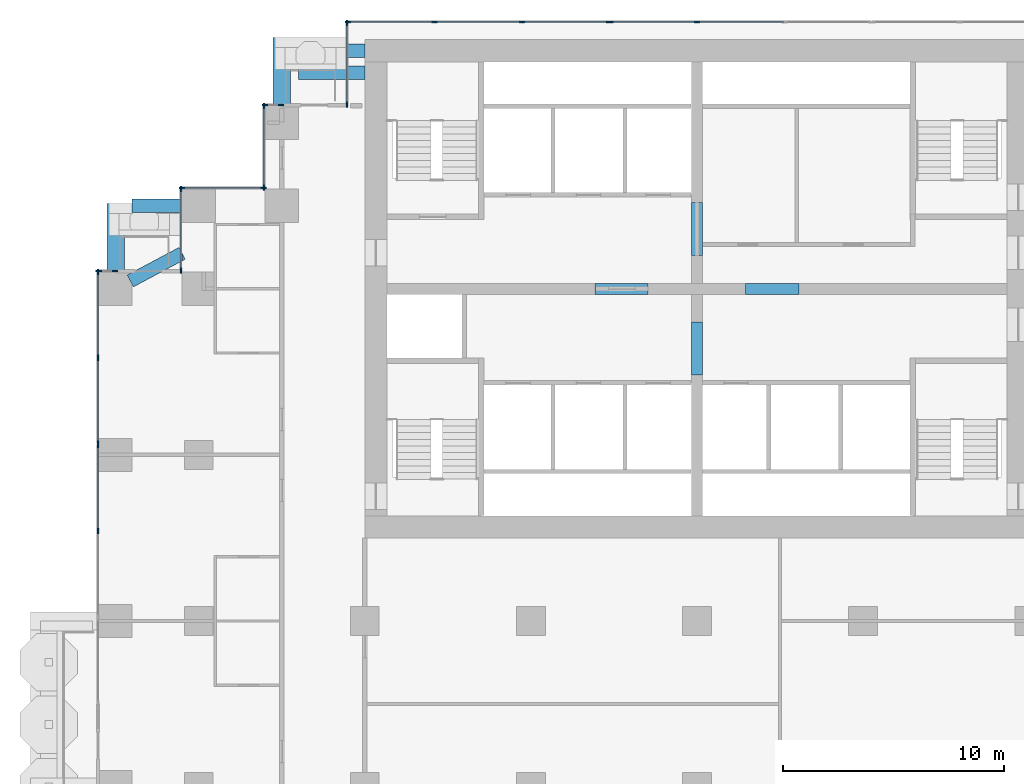
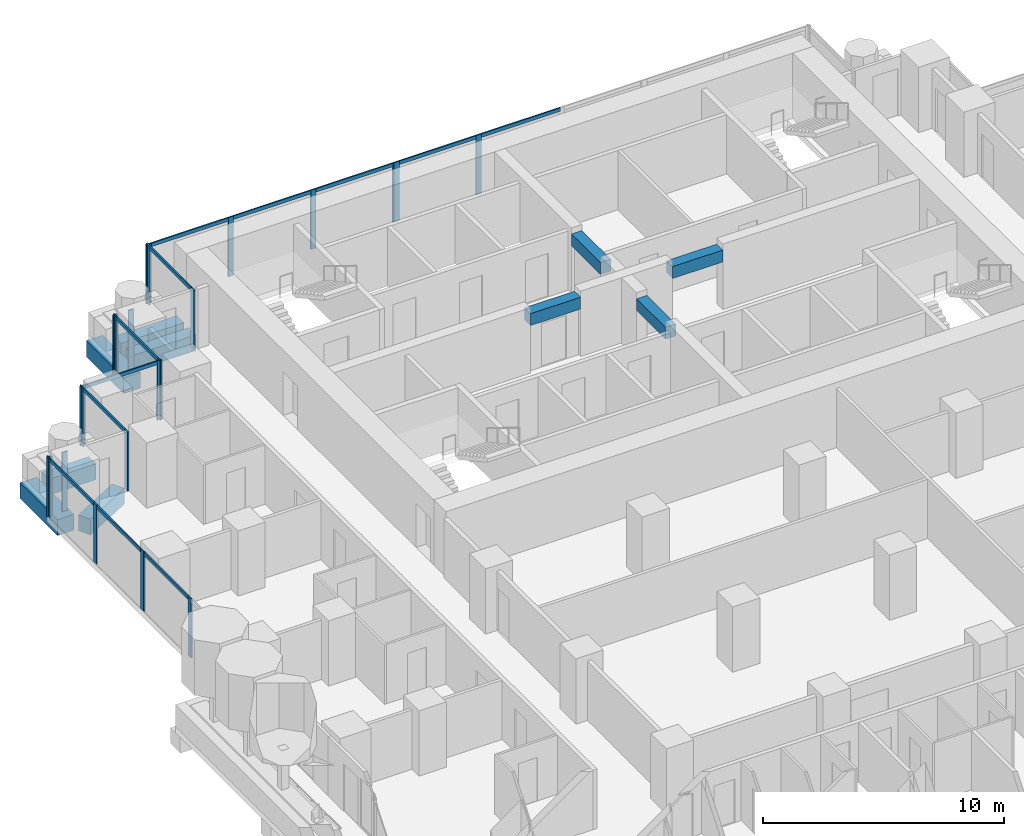
# One storey, part 5 of 19: 35 members, 10 beams, 10 elements without a shape of their own.
"""IFC4 building model written with IfcOpenShell, lengths in metres."""

from ifc_helpers import new_model, si_unit, direction, frame, origin, origin_2d, place, context, subcontext, project, spatial, rectangle, extrude, material, material_profile, profile_set, type_object, element, aggregate, save


model = new_model("IFC4")

# Units and contexts
model_context = context("Model", 3, precision=1e-05, world=origin(), true_north=direction((0.0, 1.0)))
body_context = subcontext(model_context, "Body", "Model", "MODEL_VIEW")
ifc_project = project(units=[si_unit("LENGTHUNIT", "METRE"), si_unit("AREAUNIT", "SQUARE_METRE"), si_unit("VOLUMEUNIT", "CUBIC_METRE"), si_unit("PLANEANGLEUNIT", "RADIAN"), si_unit("MASSUNIT", "GRAM", prefix="KILO")], contexts=[model_context])

# Site, building, storey
site_placement = place(None, origin())
site = spatial("IfcSite", under=ifc_project, at=site_placement, CompositionType="ELEMENT")
building_placement = place(site_placement, origin())
building = spatial("IfcBuilding", under=site, at=building_placement, Name="Pilkhan Gate Tower", CompositionType="ELEMENT")
storey_placement = place(building_placement, frame((0.0, 0.0, 72.5)))
storey = spatial("IfcBuildingStorey", under=building, at=storey_placement, Name="L16", CompositionType="ELEMENT", Elevation=72.5)

# Beams
ifc_material_1 = material(Name="Concrete C50/60", Category="concrete")
ifc_material_profile_1 = material_profile(ifc_material_1, rectangle(XDim=0.60009765625, YDim=0.800048828125, at=origin_2d()), Name="RC 600x800")
ifc_profile_set_1 = profile_set([ifc_material_profile_1], Name="Concrete C50/60")
beam_type_1 = type_object("IfcBeamType", Name="Cantilever beam CB1 RC 600x800 C50/60", PredefinedType="BEAM", material=ifc_profile_set_1)
for number, where, z_axis, x_axis, name in (
    (1, (60.0, 93.25, -0.699951171875), (-1.0, 0.0, 0.0), (0.0, -1.0, 0.0), "Balcony beam NW.2 L16"),
    (2, (60.0, 92.25, -0.699951171875), (-1.0, 0.0, 0.0), (0.0, -1.0, 0.0), "Balcony beam NW.3 L16"),
):
    element("IfcBeam", number, at=place(storey_placement, frame(where, z_axis=z_axis, x_axis=x_axis)), inside=storey, type_object=beam_type_1, Name=name, PredefinedType="BEAM", context=body_context, shape_type="SweptSolid", body=[
        extrude(rectangle(XDim=0.60009765625, YDim=0.800048828125, at=origin_2d()), origin(), (0.0, 0.0, 1.0), 3.0),
    ])
beam_1_placement = place(storey_placement, frame((51.75, 86.25, -0.699951171875), z_axis=(-1.0, 0.0, 0.0), x_axis=(0.0, -1.0, 0.0)))
element("IfcBeam", 3, at=beam_1_placement, inside=storey, type_object=beam_type_1, Name="Balcony beam NW2.2 L16", PredefinedType="BEAM", context=body_context, shape_type="SweptSolid", body=[
    extrude(rectangle(XDim=0.60009765625, YDim=0.800048828125, at=origin_2d()), origin(), (0.0, 0.0, 1.0), 2.25),
])
beam_2_placement = place(storey_placement, frame((49.411865234375, 82.85302734375, -0.699951171875), z_axis=(0.882342739565, 0.470607362817, 0.0), x_axis=(-0.470607362817, 0.882342739565, 0.0)))
element("IfcBeam", 4, at=beam_2_placement, inside=storey, type_object=beam_type_1, Name="Balcony beam NW2.3 L16", PredefinedType="BEAM", context=body_context, shape_type="SweptSolid", body=[
    extrude(rectangle(XDim=0.60009765625, YDim=0.800048828125, at=origin_2d()), origin(), (0.0, 0.0, 1.0), 2.64990234375),
])
ifc_material_profile_2 = material_profile(ifc_material_1, rectangle(XDim=0.800048828125, YDim=0.800048828125, at=origin_2d()), Name="RC 800x800")
ifc_profile_set_2 = profile_set([ifc_material_profile_2], Name="Concrete C50/60")
beam_type_2 = type_object("IfcBeamType", Name="Cantilever beam CB2 RC 800x800 C50/60", PredefinedType="BEAM", material=ifc_profile_set_2)
for number, where, z_axis, x_axis, name in (
    (5, (56.25, 90.75, -0.699951171875), (0.0, 1.0, 0.0), (-1.0, 0.0, 0.0), "Balcony beam NW.1 L16"),
    (6, (48.75, 83.25, -0.699951171875), (0.0, 1.0, 0.0), (-1.0, 0.0, 0.0), "Balcony beam NW2.1 L16"),
):
    element("IfcBeam", number, at=place(storey_placement, frame(where, z_axis=z_axis, x_axis=x_axis)), inside=storey, type_object=beam_type_2, Name=name, PredefinedType="BEAM", context=body_context, shape_type="SweptSolid", body=[
        extrude(rectangle(XDim=0.800048828125, YDim=0.800048828125, at=origin_2d()), origin(), (0.0, 0.0, 1.0), 3.10009765625),
    ])
ifc_material_2 = material(Name="Concrete C70/85", Category="concrete")
ifc_material_profile_3 = material_profile(ifc_material_2, rectangle(XDim=0.5, YDim=0.60009765625, at=origin_2d()), Name="RC 500x600")
ifc_profile_set_3 = profile_set([ifc_material_profile_3], Name="Concrete C70/85")
beam_type_3 = type_object("IfcBeamType", Name="Coupling beam CB60 RC 500x600 C70/85", PredefinedType="LINTEL", material=ifc_profile_set_3)
for number, where, z_axis, x_axis, name in (
    (7, (70.39990234375, 82.5, 2.699951171875), (1.0, 0.0, 0.0), (0.0, 1.0, 0.0), "Coupling beam 1 L16"),
    (8, (77.199951171875, 82.5, 2.699951171875), (1.0, 0.0, 0.0), (0.0, 1.0, 0.0), "Coupling beam 2 L16"),
):
    element("IfcBeam", number, at=place(storey_placement, frame(where, z_axis=z_axis, x_axis=x_axis)), inside=storey, type_object=beam_type_3, Name=name, PredefinedType="LINTEL", context=body_context, shape_type="SweptSolid", body=[
        extrude(rectangle(XDim=0.5, YDim=0.60009765625, at=origin_2d()), origin(), (0.0, 0.0, 1.0), 2.400146484375),
    ])
for number, where, z_axis, x_axis, name in (
    (9, (75.0, 78.60009765625, 2.699951171875), (0.0, 1.0, 0.0), (-1.0, 0.0, 0.0), "Coupling beam 3 L16"),
    (10, (75.0, 84.0, 2.699951171875), (0.0, 1.0, 0.0), (-1.0, 0.0, 0.0), "Coupling beam 4 L16"),
):
    element("IfcBeam", number, at=place(storey_placement, frame(where, z_axis=z_axis, x_axis=x_axis)), inside=storey, type_object=beam_type_3, Name=name, PredefinedType="LINTEL", context=body_context, shape_type="SweptSolid", body=[
        extrude(rectangle(XDim=0.5, YDim=0.60009765625, at=origin_2d()), origin(), (0.0, 0.0, 1.0), 2.39990234375),
    ])

# Curtain wall, members
ifc_material_3 = material(Name="Pale anodised aluminium, clear low-iron double glazing", Category="aluminium")
curtain_wall_type = type_object("IfcCurtainWallType", Name="Hotel unitised curtain wall CW-H", PredefinedType="USERDEFINED", material=ifc_material_3)
curtain_wall_1_placement = place(storey_placement, origin())
curtain_wall_1 = element("IfcCurtainWall", 11, at=curtain_wall_1_placement, inside=storey, type_object=curtain_wall_type, Name="Hotel unitised curtain wall CW-H L16 N", ObjectType="UNITISED CURTAIN WALL", PredefinedType="USERDEFINED")
ifc_material_4 = material(Name="Pale anodised aluminium", Category="aluminium")
ifc_material_profile_4 = material_profile(ifc_material_4, rectangle(XDim=0.06494140625, YDim=0.25, at=origin_2d()), Name="Mullion 250x65")
ifc_profile_set_4 = profile_set([ifc_material_profile_4], Name="Pale anodised aluminium")
member_type_1 = type_object("IfcMemberType", Name="Mullion CW-H 250x65", PredefinedType="MULLION", material=ifc_profile_set_4)
member_1_placement = place(storey_placement, frame((59.237548828125, 94.544921875, 0.0), z_axis=(0.0, 0.0, 1.0), x_axis=(0.0, 1.0, 0.0)))
member_1 = element("IfcMember", 12, at=member_1_placement, type_object=member_type_1, Name="CW-H mullion 1", PredefinedType="MULLION", context=body_context, shape_type="SweptSolid", body=[
    extrude(rectangle(XDim=0.06494140625, YDim=0.25, at=origin_2d()), origin(), (0.0, 0.0, 1.0), 3.0),
])
member_2_placement = place(storey_placement, frame((63.15380859375, 94.544921875, 0.0), z_axis=(0.0, 0.0, 1.0), x_axis=(0.0, 1.0, 0.0)))
member_2 = element("IfcMember", 13, at=member_2_placement, type_object=member_type_1, Name="CW-H mullion 2", PredefinedType="MULLION", context=body_context, shape_type="SweptSolid", body=[
    extrude(rectangle(XDim=0.06494140625, YDim=0.25, at=origin_2d()), origin(), (0.0, 0.0, 1.0), 3.0),
])
member_3_placement = place(storey_placement, frame((67.1025390625, 94.544921875, 0.0), z_axis=(0.0, 0.0, 1.0), x_axis=(0.0, 1.0, 0.0)))
member_3 = element("IfcMember", 14, at=member_3_placement, type_object=member_type_1, Name="CW-H mullion 3", PredefinedType="MULLION", context=body_context, shape_type="SweptSolid", body=[
    extrude(rectangle(XDim=0.06494140625, YDim=0.25, at=origin_2d()), origin(), (0.0, 0.0, 1.0), 3.0),
])
member_4_placement = place(storey_placement, frame((71.018798828125, 94.544921875, 0.0), z_axis=(0.0, 0.0, 1.0), x_axis=(0.0, 1.0, 0.0)))
member_4 = element("IfcMember", 15, at=member_4_placement, type_object=member_type_1, Name="CW-H mullion 4", PredefinedType="MULLION", context=body_context, shape_type="SweptSolid", body=[
    extrude(rectangle(XDim=0.06494140625, YDim=0.25, at=origin_2d()), origin(), (0.0, 0.0, 1.0), 3.0),
])

curtain_wall_2_placement = place(storey_placement, origin())
curtain_wall_2 = element("IfcCurtainWall", 16, at=curtain_wall_2_placement, inside=storey, type_object=curtain_wall_type, Name="Hotel unitised curtain wall CW-H L16 N", ObjectType="UNITISED CURTAIN WALL", PredefinedType="USERDEFINED")
member_5_placement = place(storey_placement, frame((71.083740234375, 94.544921875, 0.0), z_axis=(0.0, 0.0, 1.0), x_axis=(0.0, 1.0, 0.0)))
member_5 = element("IfcMember", 17, at=member_5_placement, type_object=member_type_1, Name="CW-H mullion 1", PredefinedType="MULLION", context=body_context, shape_type="SweptSolid", body=[
    extrude(rectangle(XDim=0.06494140625, YDim=0.25, at=origin_2d()), origin(), (0.0, 0.0, 1.0), 3.0),
])
member_6_placement = place(storey_placement, frame((75.0, 94.544921875, 0.0), z_axis=(0.0, 0.0, 1.0), x_axis=(0.0, 1.0, 0.0)))
member_6 = element("IfcMember", 18, at=member_6_placement, type_object=member_type_1, Name="CW-H mullion 2", PredefinedType="MULLION", context=body_context, shape_type="SweptSolid", body=[
    extrude(rectangle(XDim=0.06494140625, YDim=0.25, at=origin_2d()), origin(), (0.0, 0.0, 1.0), 3.0),
])

curtain_wall_3_placement = place(storey_placement, origin())
curtain_wall_3 = element("IfcCurtainWall", 19, at=curtain_wall_3_placement, inside=storey, type_object=curtain_wall_type, Name="Hotel unitised curtain wall CW-H L16 W", ObjectType="UNITISED CURTAIN WALL", PredefinedType="USERDEFINED")
member_7_placement = place(storey_placement, frame((59.205078125, 90.827392578125, 0.0), z_axis=(0.0, 0.0, 1.0), x_axis=(-1.0, 0.0, 0.0)))
member_7 = element("IfcMember", 20, at=member_7_placement, type_object=member_type_1, Name="CW-H mullion 1", PredefinedType="MULLION", context=body_context, shape_type="SweptSolid", body=[
    extrude(rectangle(XDim=0.06494140625, YDim=0.25, at=origin_2d()), origin(), (0.0, 0.0, 1.0), 3.0),
])
member_8_placement = place(storey_placement, frame((59.205078125, 94.512451171875, 0.0), z_axis=(0.0, 0.0, 1.0), x_axis=(-1.0, 0.0, 0.0)))
member_8 = element("IfcMember", 21, at=member_8_placement, type_object=member_type_1, Name="CW-H mullion 2", PredefinedType="MULLION", context=body_context, shape_type="SweptSolid", body=[
    extrude(rectangle(XDim=0.06494140625, YDim=0.25, at=origin_2d()), origin(), (0.0, 0.0, 1.0), 3.0),
])

curtain_wall_4_placement = place(storey_placement, origin())
curtain_wall_4 = element("IfcCurtainWall", 22, at=curtain_wall_4_placement, inside=storey, type_object=curtain_wall_type, Name="Hotel unitised curtain wall CW-H L16 N", ObjectType="UNITISED CURTAIN WALL", PredefinedType="USERDEFINED")
member_9_placement = place(storey_placement, frame((55.487548828125, 90.794921875, 0.0), z_axis=(0.0, 0.0, 1.0), x_axis=(0.0, 1.0, 0.0)))
member_9 = element("IfcMember", 23, at=member_9_placement, type_object=member_type_1, Name="CW-H mullion 1", PredefinedType="MULLION", context=body_context, shape_type="SweptSolid", body=[
    extrude(rectangle(XDim=0.06494140625, YDim=0.25, at=origin_2d()), origin(), (0.0, 0.0, 1.0), 3.0),
])
member_10_placement = place(storey_placement, frame((56.217529296875, 90.794921875, 0.0), z_axis=(0.0, 0.0, 1.0), x_axis=(0.0, 1.0, 0.0)))
member_10 = element("IfcMember", 24, at=member_10_placement, type_object=member_type_1, Name="CW-H mullion 2", PredefinedType="MULLION", context=body_context, shape_type="SweptSolid", body=[
    extrude(rectangle(XDim=0.06494140625, YDim=0.25, at=origin_2d()), origin(), (0.0, 0.0, 1.0), 3.0),
])
aggregate(curtain_wall_4, [member_9, member_10])

curtain_wall_5_placement = place(storey_placement, origin())
curtain_wall_5 = element("IfcCurtainWall", 25, at=curtain_wall_5_placement, inside=storey, type_object=curtain_wall_type, Name="Hotel unitised curtain wall CW-H L16 W", ObjectType="UNITISED CURTAIN WALL", PredefinedType="USERDEFINED")
member_11_placement = place(storey_placement, frame((55.455078125, 87.077392578125, 0.0), z_axis=(0.0, 0.0, 1.0), x_axis=(-1.0, 0.0, 0.0)))
member_11 = element("IfcMember", 26, at=member_11_placement, type_object=member_type_1, Name="CW-H mullion 1", PredefinedType="MULLION", context=body_context, shape_type="SweptSolid", body=[
    extrude(rectangle(XDim=0.06494140625, YDim=0.25, at=origin_2d()), origin(), (0.0, 0.0, 1.0), 3.0),
])
member_12_placement = place(storey_placement, frame((55.455078125, 90.762451171875, 0.0), z_axis=(0.0, 0.0, 1.0), x_axis=(-1.0, 0.0, 0.0)))
member_12 = element("IfcMember", 27, at=member_12_placement, type_object=member_type_1, Name="CW-H mullion 2", PredefinedType="MULLION", context=body_context, shape_type="SweptSolid", body=[
    extrude(rectangle(XDim=0.06494140625, YDim=0.25, at=origin_2d()), origin(), (0.0, 0.0, 1.0), 3.0),
])

curtain_wall_6_placement = place(storey_placement, origin())
curtain_wall_6 = element("IfcCurtainWall", 28, at=curtain_wall_6_placement, inside=storey, type_object=curtain_wall_type, Name="Hotel unitised curtain wall CW-H L16 N", ObjectType="UNITISED CURTAIN WALL", PredefinedType="USERDEFINED")
member_13_placement = place(storey_placement, frame((51.737548828125, 87.044921875, 0.0), z_axis=(0.0, 0.0, 1.0), x_axis=(0.0, 1.0, 0.0)))
member_13 = element("IfcMember", 29, at=member_13_placement, type_object=member_type_1, Name="CW-H mullion 1", PredefinedType="MULLION", context=body_context, shape_type="SweptSolid", body=[
    extrude(rectangle(XDim=0.06494140625, YDim=0.25, at=origin_2d()), origin(), (0.0, 0.0, 1.0), 3.0),
])
member_14_placement = place(storey_placement, frame((55.422607421875, 87.044921875, 0.0), z_axis=(0.0, 0.0, 1.0), x_axis=(0.0, 1.0, 0.0)))
member_14 = element("IfcMember", 30, at=member_14_placement, type_object=member_type_1, Name="CW-H mullion 2", PredefinedType="MULLION", context=body_context, shape_type="SweptSolid", body=[
    extrude(rectangle(XDim=0.06494140625, YDim=0.25, at=origin_2d()), origin(), (0.0, 0.0, 1.0), 3.0),
])

curtain_wall_7_placement = place(storey_placement, origin())
curtain_wall_7 = element("IfcCurtainWall", 31, at=curtain_wall_7_placement, inside=storey, type_object=curtain_wall_type, Name="Hotel unitised curtain wall CW-H L16 W", ObjectType="UNITISED CURTAIN WALL", PredefinedType="USERDEFINED")
member_15_placement = place(storey_placement, frame((51.705078125, 83.327392578125, 0.0), z_axis=(0.0, 0.0, 1.0), x_axis=(-1.0, 0.0, 0.0)))
member_15 = element("IfcMember", 32, at=member_15_placement, type_object=member_type_1, Name="CW-H mullion 1", PredefinedType="MULLION", context=body_context, shape_type="SweptSolid", body=[
    extrude(rectangle(XDim=0.06494140625, YDim=0.25, at=origin_2d()), origin(), (0.0, 0.0, 1.0), 3.0),
])
member_16_placement = place(storey_placement, frame((51.705078125, 87.012451171875, 0.0), z_axis=(0.0, 0.0, 1.0), x_axis=(-1.0, 0.0, 0.0)))
member_16 = element("IfcMember", 33, at=member_16_placement, type_object=member_type_1, Name="CW-H mullion 2", PredefinedType="MULLION", context=body_context, shape_type="SweptSolid", body=[
    extrude(rectangle(XDim=0.06494140625, YDim=0.25, at=origin_2d()), origin(), (0.0, 0.0, 1.0), 3.0),
])

curtain_wall_8_placement = place(storey_placement, origin())
curtain_wall_8 = element("IfcCurtainWall", 34, at=curtain_wall_8_placement, inside=storey, type_object=curtain_wall_type, Name="Hotel unitised curtain wall CW-H L16 N", ObjectType="UNITISED CURTAIN WALL", PredefinedType="USERDEFINED")
member_17_placement = place(storey_placement, frame((47.987548828125, 83.294921875, 0.0), z_axis=(0.0, 0.0, 1.0), x_axis=(0.0, 1.0, 0.0)))
member_17 = element("IfcMember", 35, at=member_17_placement, type_object=member_type_1, Name="CW-H mullion 1", PredefinedType="MULLION", context=body_context, shape_type="SweptSolid", body=[
    extrude(rectangle(XDim=0.06494140625, YDim=0.25, at=origin_2d()), origin(), (0.0, 0.0, 1.0), 3.0),
])
member_18_placement = place(storey_placement, frame((48.717529296875, 83.294921875, 0.0), z_axis=(0.0, 0.0, 1.0), x_axis=(0.0, 1.0, 0.0)))
member_18 = element("IfcMember", 36, at=member_18_placement, type_object=member_type_1, Name="CW-H mullion 2", PredefinedType="MULLION", context=body_context, shape_type="SweptSolid", body=[
    extrude(rectangle(XDim=0.06494140625, YDim=0.25, at=origin_2d()), origin(), (0.0, 0.0, 1.0), 3.0),
])
aggregate(curtain_wall_8, [member_17, member_18])

curtain_wall_9_placement = place(storey_placement, origin())
curtain_wall_9 = element("IfcCurtainWall", 37, at=curtain_wall_9_placement, inside=storey, type_object=curtain_wall_type, Name="Hotel unitised curtain wall CW-H L16 W", ObjectType="UNITISED CURTAIN WALL", PredefinedType="USERDEFINED")
member_19_placement = place(storey_placement, frame((47.955078125, 71.568115234375, 0.0), z_axis=(0.0, 0.0, 1.0), x_axis=(-1.0, 0.0, 0.0)))
member_19 = element("IfcMember", 38, at=member_19_placement, type_object=member_type_1, Name="CW-H mullion 3", PredefinedType="MULLION", context=body_context, shape_type="SweptSolid", body=[
    extrude(rectangle(XDim=0.06494140625, YDim=0.25, at=origin_2d()), origin(), (0.0, 0.0, 1.0), 3.0),
])
member_20_placement = place(storey_placement, frame((47.955078125, 75.444580078125, 0.0), z_axis=(0.0, 0.0, 1.0), x_axis=(-1.0, 0.0, 0.0)))
member_20 = element("IfcMember", 39, at=member_20_placement, type_object=member_type_1, Name="CW-H mullion 4", PredefinedType="MULLION", context=body_context, shape_type="SweptSolid", body=[
    extrude(rectangle(XDim=0.06494140625, YDim=0.25, at=origin_2d()), origin(), (0.0, 0.0, 1.0), 3.0),
])

curtain_wall_10_placement = place(storey_placement, origin())
curtain_wall_10 = element("IfcCurtainWall", 40, at=curtain_wall_10_placement, inside=storey, type_object=curtain_wall_type, Name="Hotel unitised curtain wall CW-H L16 W", ObjectType="UNITISED CURTAIN WALL", PredefinedType="USERDEFINED")
member_21_placement = place(storey_placement, frame((47.955078125, 75.509521484375, 0.0), z_axis=(0.0, 0.0, 1.0), x_axis=(-1.0, 0.0, 0.0)))
member_21 = element("IfcMember", 41, at=member_21_placement, type_object=member_type_1, Name="CW-H mullion 1", PredefinedType="MULLION", context=body_context, shape_type="SweptSolid", body=[
    extrude(rectangle(XDim=0.06494140625, YDim=0.25, at=origin_2d()), origin(), (0.0, 0.0, 1.0), 3.0),
])
member_22_placement = place(storey_placement, frame((47.955078125, 79.385986328125, 0.0), z_axis=(0.0, 0.0, 1.0), x_axis=(-1.0, 0.0, 0.0)))
member_22 = element("IfcMember", 42, at=member_22_placement, type_object=member_type_1, Name="CW-H mullion 2", PredefinedType="MULLION", context=body_context, shape_type="SweptSolid", body=[
    extrude(rectangle(XDim=0.06494140625, YDim=0.25, at=origin_2d()), origin(), (0.0, 0.0, 1.0), 3.0),
])
member_23_placement = place(storey_placement, frame((47.955078125, 83.262451171875, 0.0), z_axis=(0.0, 0.0, 1.0), x_axis=(-1.0, 0.0, 0.0)))
member_23 = element("IfcMember", 43, at=member_23_placement, type_object=member_type_1, Name="CW-H mullion 3", PredefinedType="MULLION", context=body_context, shape_type="SweptSolid", body=[
    extrude(rectangle(XDim=0.06494140625, YDim=0.25, at=origin_2d()), origin(), (0.0, 0.0, 1.0), 3.0),
])

# Member
ifc_material_profile_5 = material_profile(ifc_material_4, rectangle(XDim=0.06494140625, YDim=0.179931640625, at=origin_2d()), Name="Transom 180x65")
ifc_profile_set_5 = profile_set([ifc_material_profile_5], Name="Pale anodised aluminium")
member_type_2 = type_object("IfcMemberType", Name="Transom CW-H 180x65", PredefinedType="USERDEFINED", material=ifc_profile_set_5)
member_24_placement = place(storey_placement, frame((59.27001953125, 94.544921875, 2.909912109375), z_axis=(1.0, 0.0, 0.0), x_axis=(0.0, 1.0, 0.0)))
member_24 = element("IfcMember", 44, at=member_24_placement, type_object=member_type_2, Name="CW-H transom 1", ObjectType="TRANSOM", PredefinedType="USERDEFINED", context=body_context, shape_type="SweptSolid", body=[
    extrude(rectangle(XDim=0.06494140625, YDim=0.179931640625, at=origin_2d()), origin(), (0.0, 0.0, 1.0), 3.851318359375),
])

member_25_placement = place(storey_placement, frame((63.186279296875, 94.544921875, 2.909912109375), z_axis=(1.0, 0.0, 0.0), x_axis=(0.0, 1.0, 0.0)))
member_25 = element("IfcMember", 45, at=member_25_placement, type_object=member_type_2, Name="CW-H transom 2", ObjectType="TRANSOM", PredefinedType="USERDEFINED", context=body_context, shape_type="SweptSolid", body=[
    extrude(rectangle(XDim=0.06494140625, YDim=0.179931640625, at=origin_2d()), origin(), (0.0, 0.0, 1.0), 3.8837890625),
])

member_26_placement = place(storey_placement, frame((67.135009765625, 94.544921875, 2.909912109375), z_axis=(1.0, 0.0, 0.0), x_axis=(0.0, 1.0, 0.0)))
member_26 = element("IfcMember", 46, at=member_26_placement, type_object=member_type_2, Name="CW-H transom 3", ObjectType="TRANSOM", PredefinedType="USERDEFINED", context=body_context, shape_type="SweptSolid", body=[
    extrude(rectangle(XDim=0.06494140625, YDim=0.179931640625, at=origin_2d()), origin(), (0.0, 0.0, 1.0), 3.851318359375),
])

aggregate(curtain_wall_1, [member_1, member_2, member_3, member_4, member_24, member_25, member_26])

member_27_placement = place(storey_placement, frame((71.1162109375, 94.544921875, 2.909912109375), z_axis=(1.0, 0.0, 0.0), x_axis=(0.0, 1.0, 0.0)))
member_27 = element("IfcMember", 47, at=member_27_placement, type_object=member_type_2, Name="CW-H transom 1", ObjectType="TRANSOM", PredefinedType="USERDEFINED", context=body_context, shape_type="SweptSolid", body=[
    extrude(rectangle(XDim=0.06494140625, YDim=0.179931640625, at=origin_2d()), origin(), (0.0, 0.0, 1.0), 3.851318359375),
])

member_28_placement = place(storey_placement, frame((75.032470703125, 94.544921875, 2.909912109375), z_axis=(1.0, 0.0, 0.0), x_axis=(0.0, 1.0, 0.0)))
member_28 = element("IfcMember", 48, at=member_28_placement, type_object=member_type_2, Name="CW-H transom 2", ObjectType="TRANSOM", PredefinedType="USERDEFINED", context=body_context, shape_type="SweptSolid", body=[
    extrude(rectangle(XDim=0.06494140625, YDim=0.179931640625, at=origin_2d()), origin(), (0.0, 0.0, 1.0), 3.8837890625),
])

aggregate(curtain_wall_2, [member_5, member_6, member_27, member_28])

member_29_placement = place(storey_placement, frame((59.205078125, 90.860107421875, 2.909912109375), z_axis=(0.0, 1.0, 0.0), x_axis=(-1.0, 0.0, 0.0)))
member_29 = element("IfcMember", 49, at=member_29_placement, type_object=member_type_2, Name="CW-H transom 1", ObjectType="TRANSOM", PredefinedType="USERDEFINED", context=body_context, shape_type="SweptSolid", body=[
    extrude(rectangle(XDim=0.06494140625, YDim=0.179931640625, at=origin_2d()), origin(), (0.0, 0.0, 1.0), 3.619873046875),
])

aggregate(curtain_wall_3, [member_7, member_8, member_29])

member_30_placement = place(storey_placement, frame((55.455078125, 87.110107421875, 2.909912109375), z_axis=(0.0, 1.0, 0.0), x_axis=(-1.0, 0.0, 0.0)))
member_30 = element("IfcMember", 50, at=member_30_placement, type_object=member_type_2, Name="CW-H transom 1", ObjectType="TRANSOM", PredefinedType="USERDEFINED", context=body_context, shape_type="SweptSolid", body=[
    extrude(rectangle(XDim=0.06494140625, YDim=0.179931640625, at=origin_2d()), origin(), (0.0, 0.0, 1.0), 3.619873046875),
])

aggregate(curtain_wall_5, [member_11, member_12, member_30])

member_31_placement = place(storey_placement, frame((51.77001953125, 87.044921875, 2.909912109375), z_axis=(1.0, 0.0, 0.0), x_axis=(0.0, 1.0, 0.0)))
member_31 = element("IfcMember", 51, at=member_31_placement, type_object=member_type_2, Name="CW-H transom 1", ObjectType="TRANSOM", PredefinedType="USERDEFINED", context=body_context, shape_type="SweptSolid", body=[
    extrude(rectangle(XDim=0.06494140625, YDim=0.179931640625, at=origin_2d()), origin(), (0.0, 0.0, 1.0), 3.619873046875),
])

aggregate(curtain_wall_6, [member_13, member_14, member_31])

member_32_placement = place(storey_placement, frame((51.705078125, 83.360107421875, 2.909912109375), z_axis=(0.0, 1.0, 0.0), x_axis=(-1.0, 0.0, 0.0)))
member_32 = element("IfcMember", 52, at=member_32_placement, type_object=member_type_2, Name="CW-H transom 1", ObjectType="TRANSOM", PredefinedType="USERDEFINED", context=body_context, shape_type="SweptSolid", body=[
    extrude(rectangle(XDim=0.06494140625, YDim=0.179931640625, at=origin_2d()), origin(), (0.0, 0.0, 1.0), 3.619873046875),
])

aggregate(curtain_wall_7, [member_15, member_16, member_32])

member_33_placement = place(storey_placement, frame((47.955078125, 71.6005859375, 2.909912109375), z_axis=(0.0, 1.0, 0.0), x_axis=(-1.0, 0.0, 0.0)))
member_33 = element("IfcMember", 53, at=member_33_placement, type_object=member_type_2, Name="CW-H transom 3", ObjectType="TRANSOM", PredefinedType="USERDEFINED", context=body_context, shape_type="SweptSolid", body=[
    extrude(rectangle(XDim=0.06494140625, YDim=0.179931640625, at=origin_2d()), origin(), (0.0, 0.0, 1.0), 3.8115234375),
])

aggregate(curtain_wall_9, [member_19, member_20, member_33])

member_34_placement = place(storey_placement, frame((47.955078125, 75.5419921875, 2.909912109375), z_axis=(0.0, 1.0, 0.0), x_axis=(-1.0, 0.0, 0.0)))
member_34 = element("IfcMember", 54, at=member_34_placement, type_object=member_type_2, Name="CW-H transom 1", ObjectType="TRANSOM", PredefinedType="USERDEFINED", context=body_context, shape_type="SweptSolid", body=[
    extrude(rectangle(XDim=0.06494140625, YDim=0.179931640625, at=origin_2d()), origin(), (0.0, 0.0, 1.0), 3.8115234375),
])

member_35_placement = place(storey_placement, frame((47.955078125, 79.41845703125, 2.909912109375), z_axis=(0.0, 1.0, 0.0), x_axis=(-1.0, 0.0, 0.0)))
member_35 = element("IfcMember", 55, at=member_35_placement, type_object=member_type_2, Name="CW-H transom 2", ObjectType="TRANSOM", PredefinedType="USERDEFINED", context=body_context, shape_type="SweptSolid", body=[
    extrude(rectangle(XDim=0.06494140625, YDim=0.179931640625, at=origin_2d()), origin(), (0.0, 0.0, 1.0), 3.8115234375),
])

aggregate(curtain_wall_10, [member_21, member_22, member_23, member_34, member_35])

save(model, "model.ifc")
